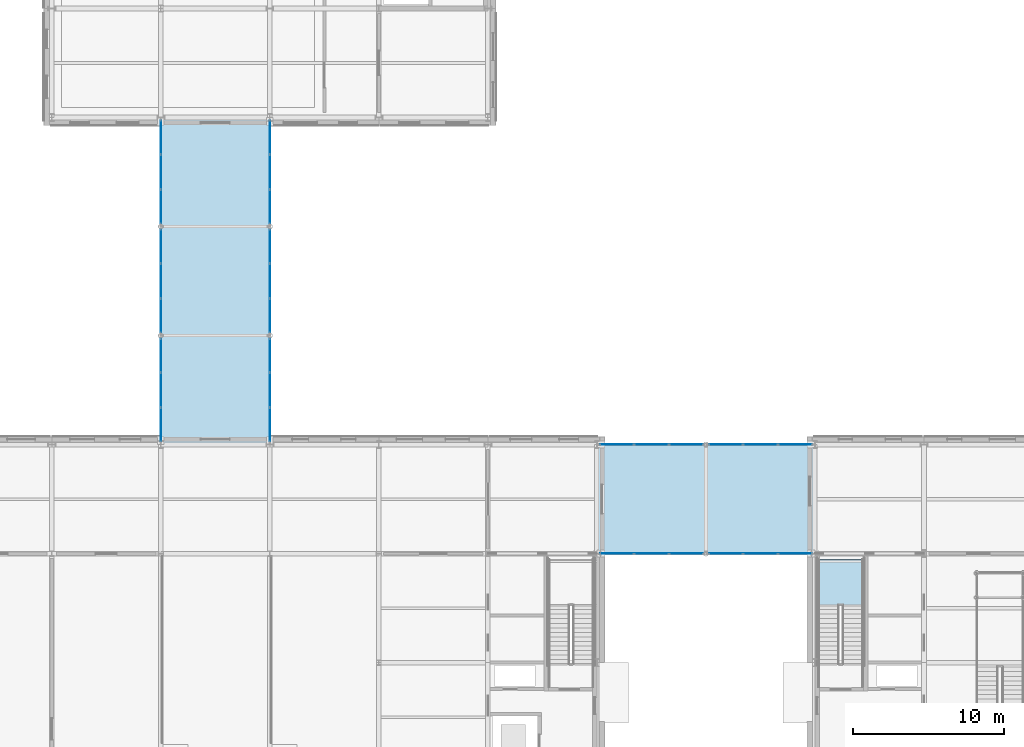
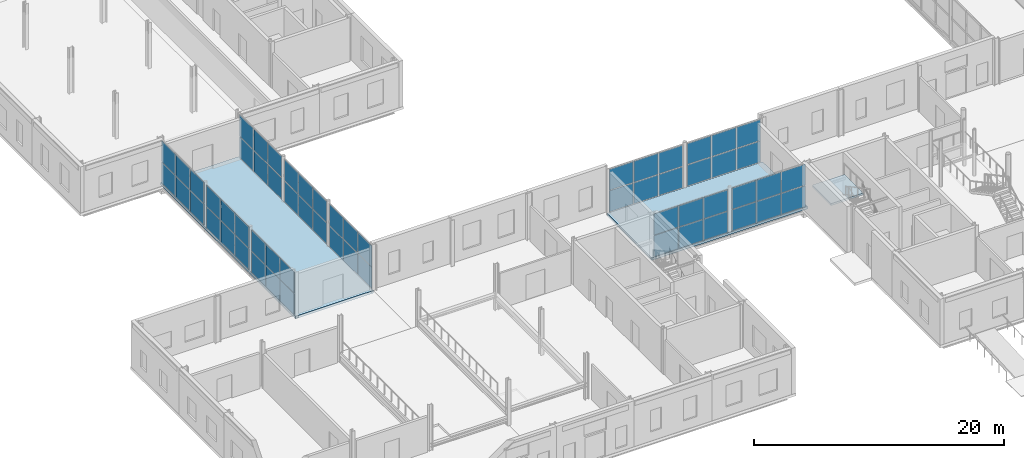
# One storey, part 43 of 92: 60 plates, 3 slabs, 11 elements without a shape of their own.
"""IFC4 building model written with IfcOpenShell, lengths in metres."""

from ifc_helpers import new_model, si_unit, direction, frame, origin, origin_2d, place, context, subcontext, project, spatial, polyline, rectangle, outline, extrude, material, layer, layer_set, type_object, element, aggregate, save


model = new_model("IFC4")

# Units and contexts
model_context = context("Model", 3, precision=1e-05, world=origin(), true_north=direction((0.0, 1.0)))
body_context = subcontext(model_context, "Body", "Model", "MODEL_VIEW")
ifc_project = project(units=[si_unit("LENGTHUNIT", "METRE"), si_unit("AREAUNIT", "SQUARE_METRE"), si_unit("VOLUMEUNIT", "CUBIC_METRE"), si_unit("PLANEANGLEUNIT", "RADIAN"), si_unit("MASSUNIT", "GRAM", prefix="KILO")], contexts=[model_context])

# Site, building, storey
site_placement = place(None, origin())
site = spatial("IfcSite", under=ifc_project, at=site_placement, CompositionType="ELEMENT")
building_placement = place(site_placement, origin())
building = spatial("IfcBuilding", under=site, at=building_placement, Name="Zlatovets Crest Museum", CompositionType="ELEMENT")
storey_placement = place(building_placement, origin())
storey = spatial("IfcBuildingStorey", under=building, at=storey_placement, Name="L00", CompositionType="ELEMENT", Elevation=0.0)

# Curtain wall, plates
ifc_material_1 = material(Name="Bronze-anodised aluminium and low-E triple glass", Category="aluminium")
curtain_wall_type_1 = type_object("IfcCurtainWallType", Name="CW_CW-BR1-L00-S69", PredefinedType="NOTDEFINED", material=ifc_material_1)
curtain_wall_1_placement = place(storey_placement, origin())
curtain_wall_1 = element("IfcCurtainWall", 1, at=curtain_wall_1_placement, inside=storey, type_object=curtain_wall_type_1, Name="South Forecourt Glazed Link Bridge L00 Glazed Bridge Curtain Wall", PredefinedType="NOTDEFINED")
ifc_material_2 = material(Name="Solar-control low-E laminated triple glass", Category="glass")
ifc_layer_1 = layer(ifc_material_2, 0.030029296875)
ifc_layer_set_1 = layer_set([ifc_layer_1], Name="Solar-control low-E laminated triple glass")
plate_type_1 = type_object("IfcPlateType", Name="CWPanel_CW-BR1-L00-S69", PredefinedType="CURTAIN_PANEL", material=ifc_layer_set_1)
plate_1_placement = place(storey_placement, frame((44.514892578125, 21.60009765625, 0.06005859375), z_axis=(0.0, 0.0, 1.0), x_axis=(1.0, 0.0, 0.0)))
plate_1 = element("IfcPlate", 2, at=plate_1_placement, type_object=plate_type_1, Name="CW-BR1-L00-S69 panel 1.1", PredefinedType="CURTAIN_PANEL", context=body_context, shape_type="SweptSolid", body=[
    extrude(rectangle(XDim=2.2099609375, YDim=0.030029296875, at=origin_2d()), origin(), (0.0, 0.0, 1.0), 2.050048828125),
])
plate_2_placement = place(storey_placement, frame((44.514892578125, 21.60009765625, 2.169921875), z_axis=(0.0, 0.0, 1.0), x_axis=(1.0, 0.0, 0.0)))
plate_2 = element("IfcPlate", 3, at=plate_2_placement, type_object=plate_type_1, Name="CW-BR1-L00-S69 panel 1.2", PredefinedType="CURTAIN_PANEL", context=body_context, shape_type="SweptSolid", body=[
    extrude(rectangle(XDim=2.2099609375, YDim=0.030029296875, at=origin_2d()), origin(), (0.0, 0.0, 1.0), 2.050048828125),
])
plate_3_placement = place(storey_placement, frame((46.800048828125, 21.60009765625, 0.06005859375), z_axis=(0.0, 0.0, 1.0), x_axis=(1.0, 0.0, 0.0)))
plate_3 = element("IfcPlate", 4, at=plate_3_placement, type_object=plate_type_1, Name="CW-BR1-L00-S69 panel 2.1", PredefinedType="CURTAIN_PANEL", context=body_context, shape_type="SweptSolid", body=[
    extrude(rectangle(XDim=2.239990234375, YDim=0.030029296875, at=origin_2d()), origin(), (0.0, 0.0, 1.0), 2.050048828125),
])
plate_4_placement = place(storey_placement, frame((46.800048828125, 21.60009765625, 2.169921875), z_axis=(0.0, 0.0, 1.0), x_axis=(1.0, 0.0, 0.0)))
plate_4 = element("IfcPlate", 5, at=plate_4_placement, type_object=plate_type_1, Name="CW-BR1-L00-S69 panel 2.2", PredefinedType="CURTAIN_PANEL", context=body_context, shape_type="SweptSolid", body=[
    extrude(rectangle(XDim=2.239990234375, YDim=0.030029296875, at=origin_2d()), origin(), (0.0, 0.0, 1.0), 2.050048828125),
])
plate_5_placement = place(storey_placement, frame((49.0849609375, 21.60009765625, 0.06005859375), z_axis=(0.0, 0.0, 1.0), x_axis=(1.0, 0.0, 0.0)))
plate_5 = element("IfcPlate", 6, at=plate_5_placement, type_object=plate_type_1, Name="CW-BR1-L00-S69 panel 3.1", PredefinedType="CURTAIN_PANEL", context=body_context, shape_type="SweptSolid", body=[
    extrude(rectangle(XDim=2.2099609375, YDim=0.030029296875, at=origin_2d()), origin(), (0.0, 0.0, 1.0), 2.050048828125),
])
plate_6_placement = place(storey_placement, frame((49.0849609375, 21.60009765625, 2.169921875), z_axis=(0.0, 0.0, 1.0), x_axis=(1.0, 0.0, 0.0)))
plate_6 = element("IfcPlate", 7, at=plate_6_placement, type_object=plate_type_1, Name="CW-BR1-L00-S69 panel 3.2", PredefinedType="CURTAIN_PANEL", context=body_context, shape_type="SweptSolid", body=[
    extrude(rectangle(XDim=2.2099609375, YDim=0.030029296875, at=origin_2d()), origin(), (0.0, 0.0, 1.0), 2.050048828125),
])
aggregate(curtain_wall_1, [plate_1, plate_2, plate_3, plate_4, plate_5, plate_6])

curtain_wall_2_placement = place(storey_placement, origin())
curtain_wall_2 = element("IfcCurtainWall", 8, at=curtain_wall_2_placement, inside=storey, type_object=curtain_wall_type_1, Name="South Forecourt Glazed Link Bridge L00 Glazed Bridge Curtain Wall", PredefinedType="NOTDEFINED")
plate_7_placement = place(storey_placement, frame((51.715087890625, 21.60009765625, 0.06005859375), z_axis=(0.0, 0.0, 1.0), x_axis=(1.0, 0.0, 0.0)))
plate_7 = element("IfcPlate", 9, at=plate_7_placement, type_object=plate_type_1, Name="CW-BR1-L00-S69 panel 1.1", PredefinedType="CURTAIN_PANEL", context=body_context, shape_type="SweptSolid", body=[
    extrude(rectangle(XDim=2.2099609375, YDim=0.030029296875, at=origin_2d()), origin(), (0.0, 0.0, 1.0), 2.050048828125),
])
plate_8_placement = place(storey_placement, frame((51.715087890625, 21.60009765625, 2.169921875), z_axis=(0.0, 0.0, 1.0), x_axis=(1.0, 0.0, 0.0)))
plate_8 = element("IfcPlate", 10, at=plate_8_placement, type_object=plate_type_1, Name="CW-BR1-L00-S69 panel 1.2", PredefinedType="CURTAIN_PANEL", context=body_context, shape_type="SweptSolid", body=[
    extrude(rectangle(XDim=2.2099609375, YDim=0.030029296875, at=origin_2d()), origin(), (0.0, 0.0, 1.0), 2.050048828125),
])
plate_9_placement = place(storey_placement, frame((54.0, 21.60009765625, 0.06005859375), z_axis=(0.0, 0.0, 1.0), x_axis=(1.0, 0.0, 0.0)))
plate_9 = element("IfcPlate", 11, at=plate_9_placement, type_object=plate_type_1, Name="CW-BR1-L00-S69 panel 2.1", PredefinedType="CURTAIN_PANEL", context=body_context, shape_type="SweptSolid", body=[
    extrude(rectangle(XDim=2.239990234375, YDim=0.030029296875, at=origin_2d()), origin(), (0.0, 0.0, 1.0), 2.050048828125),
])
plate_10_placement = place(storey_placement, frame((54.0, 21.60009765625, 2.169921875), z_axis=(0.0, 0.0, 1.0), x_axis=(1.0, 0.0, 0.0)))
plate_10 = element("IfcPlate", 12, at=plate_10_placement, type_object=plate_type_1, Name="CW-BR1-L00-S69 panel 2.2", PredefinedType="CURTAIN_PANEL", context=body_context, shape_type="SweptSolid", body=[
    extrude(rectangle(XDim=2.239990234375, YDim=0.030029296875, at=origin_2d()), origin(), (0.0, 0.0, 1.0), 2.050048828125),
])
plate_11_placement = place(storey_placement, frame((56.284912109375, 21.60009765625, 0.06005859375), z_axis=(0.0, 0.0, 1.0), x_axis=(1.0, 0.0, 0.0)))
plate_11 = element("IfcPlate", 13, at=plate_11_placement, type_object=plate_type_1, Name="CW-BR1-L00-S69 panel 3.1", PredefinedType="CURTAIN_PANEL", context=body_context, shape_type="SweptSolid", body=[
    extrude(rectangle(XDim=2.2099609375, YDim=0.030029296875, at=origin_2d()), origin(), (0.0, 0.0, 1.0), 2.050048828125),
])
plate_12_placement = place(storey_placement, frame((56.284912109375, 21.60009765625, 2.169921875), z_axis=(0.0, 0.0, 1.0), x_axis=(1.0, 0.0, 0.0)))
plate_12 = element("IfcPlate", 14, at=plate_12_placement, type_object=plate_type_1, Name="CW-BR1-L00-S69 panel 3.2", PredefinedType="CURTAIN_PANEL", context=body_context, shape_type="SweptSolid", body=[
    extrude(rectangle(XDim=2.2099609375, YDim=0.030029296875, at=origin_2d()), origin(), (0.0, 0.0, 1.0), 2.050048828125),
])
aggregate(curtain_wall_2, [plate_7, plate_8, plate_9, plate_10, plate_11, plate_12])

curtain_wall_3_placement = place(storey_placement, origin())
curtain_wall_3 = element("IfcCurtainWall", 15, at=curtain_wall_3_placement, inside=storey, type_object=curtain_wall_type_1, Name="South Forecourt Glazed Link Bridge L00 Glazed Bridge Curtain Wall", PredefinedType="NOTDEFINED")
plate_13_placement = place(storey_placement, frame((44.514892578125, 28.800048828125, 0.06005859375), z_axis=(0.0, 0.0, 1.0), x_axis=(1.0, 0.0, 0.0)))
plate_13 = element("IfcPlate", 16, at=plate_13_placement, type_object=plate_type_1, Name="CW-BR1-L00-S69 panel 1.1", PredefinedType="CURTAIN_PANEL", context=body_context, shape_type="SweptSolid", body=[
    extrude(rectangle(XDim=2.2099609375, YDim=0.030029296875, at=origin_2d()), origin(), (0.0, 0.0, 1.0), 2.050048828125),
])
plate_14_placement = place(storey_placement, frame((44.514892578125, 28.800048828125, 2.169921875), z_axis=(0.0, 0.0, 1.0), x_axis=(1.0, 0.0, 0.0)))
plate_14 = element("IfcPlate", 17, at=plate_14_placement, type_object=plate_type_1, Name="CW-BR1-L00-S69 panel 1.2", PredefinedType="CURTAIN_PANEL", context=body_context, shape_type="SweptSolid", body=[
    extrude(rectangle(XDim=2.2099609375, YDim=0.030029296875, at=origin_2d()), origin(), (0.0, 0.0, 1.0), 2.050048828125),
])
plate_15_placement = place(storey_placement, frame((46.800048828125, 28.800048828125, 0.06005859375), z_axis=(0.0, 0.0, 1.0), x_axis=(1.0, 0.0, 0.0)))
plate_15 = element("IfcPlate", 18, at=plate_15_placement, type_object=plate_type_1, Name="CW-BR1-L00-S69 panel 2.1", PredefinedType="CURTAIN_PANEL", context=body_context, shape_type="SweptSolid", body=[
    extrude(rectangle(XDim=2.239990234375, YDim=0.030029296875, at=origin_2d()), origin(), (0.0, 0.0, 1.0), 2.050048828125),
])
plate_16_placement = place(storey_placement, frame((46.800048828125, 28.800048828125, 2.169921875), z_axis=(0.0, 0.0, 1.0), x_axis=(1.0, 0.0, 0.0)))
plate_16 = element("IfcPlate", 19, at=plate_16_placement, type_object=plate_type_1, Name="CW-BR1-L00-S69 panel 2.2", PredefinedType="CURTAIN_PANEL", context=body_context, shape_type="SweptSolid", body=[
    extrude(rectangle(XDim=2.239990234375, YDim=0.030029296875, at=origin_2d()), origin(), (0.0, 0.0, 1.0), 2.050048828125),
])
plate_17_placement = place(storey_placement, frame((49.0849609375, 28.800048828125, 0.06005859375), z_axis=(0.0, 0.0, 1.0), x_axis=(1.0, 0.0, 0.0)))
plate_17 = element("IfcPlate", 20, at=plate_17_placement, type_object=plate_type_1, Name="CW-BR1-L00-S69 panel 3.1", PredefinedType="CURTAIN_PANEL", context=body_context, shape_type="SweptSolid", body=[
    extrude(rectangle(XDim=2.2099609375, YDim=0.030029296875, at=origin_2d()), origin(), (0.0, 0.0, 1.0), 2.050048828125),
])
plate_18_placement = place(storey_placement, frame((49.0849609375, 28.800048828125, 2.169921875), z_axis=(0.0, 0.0, 1.0), x_axis=(1.0, 0.0, 0.0)))
plate_18 = element("IfcPlate", 21, at=plate_18_placement, type_object=plate_type_1, Name="CW-BR1-L00-S69 panel 3.2", PredefinedType="CURTAIN_PANEL", context=body_context, shape_type="SweptSolid", body=[
    extrude(rectangle(XDim=2.2099609375, YDim=0.030029296875, at=origin_2d()), origin(), (0.0, 0.0, 1.0), 2.050048828125),
])
aggregate(curtain_wall_3, [plate_13, plate_14, plate_15, plate_16, plate_17, plate_18])

curtain_wall_4_placement = place(storey_placement, origin())
curtain_wall_4 = element("IfcCurtainWall", 22, at=curtain_wall_4_placement, inside=storey, type_object=curtain_wall_type_1, Name="South Forecourt Glazed Link Bridge L00 Glazed Bridge Curtain Wall", PredefinedType="NOTDEFINED")
plate_19_placement = place(storey_placement, frame((51.715087890625, 28.800048828125, 0.06005859375), z_axis=(0.0, 0.0, 1.0), x_axis=(1.0, 0.0, 0.0)))
plate_19 = element("IfcPlate", 23, at=plate_19_placement, type_object=plate_type_1, Name="CW-BR1-L00-S69 panel 1.1", PredefinedType="CURTAIN_PANEL", context=body_context, shape_type="SweptSolid", body=[
    extrude(rectangle(XDim=2.2099609375, YDim=0.030029296875, at=origin_2d()), origin(), (0.0, 0.0, 1.0), 2.050048828125),
])
plate_20_placement = place(storey_placement, frame((51.715087890625, 28.800048828125, 2.169921875), z_axis=(0.0, 0.0, 1.0), x_axis=(1.0, 0.0, 0.0)))
plate_20 = element("IfcPlate", 24, at=plate_20_placement, type_object=plate_type_1, Name="CW-BR1-L00-S69 panel 1.2", PredefinedType="CURTAIN_PANEL", context=body_context, shape_type="SweptSolid", body=[
    extrude(rectangle(XDim=2.2099609375, YDim=0.030029296875, at=origin_2d()), origin(), (0.0, 0.0, 1.0), 2.050048828125),
])
plate_21_placement = place(storey_placement, frame((54.0, 28.800048828125, 0.06005859375), z_axis=(0.0, 0.0, 1.0), x_axis=(1.0, 0.0, 0.0)))
plate_21 = element("IfcPlate", 25, at=plate_21_placement, type_object=plate_type_1, Name="CW-BR1-L00-S69 panel 2.1", PredefinedType="CURTAIN_PANEL", context=body_context, shape_type="SweptSolid", body=[
    extrude(rectangle(XDim=2.239990234375, YDim=0.030029296875, at=origin_2d()), origin(), (0.0, 0.0, 1.0), 2.050048828125),
])
plate_22_placement = place(storey_placement, frame((54.0, 28.800048828125, 2.169921875), z_axis=(0.0, 0.0, 1.0), x_axis=(1.0, 0.0, 0.0)))
plate_22 = element("IfcPlate", 26, at=plate_22_placement, type_object=plate_type_1, Name="CW-BR1-L00-S69 panel 2.2", PredefinedType="CURTAIN_PANEL", context=body_context, shape_type="SweptSolid", body=[
    extrude(rectangle(XDim=2.239990234375, YDim=0.030029296875, at=origin_2d()), origin(), (0.0, 0.0, 1.0), 2.050048828125),
])
plate_23_placement = place(storey_placement, frame((56.284912109375, 28.800048828125, 0.06005859375), z_axis=(0.0, 0.0, 1.0), x_axis=(1.0, 0.0, 0.0)))
plate_23 = element("IfcPlate", 27, at=plate_23_placement, type_object=plate_type_1, Name="CW-BR1-L00-S69 panel 3.1", PredefinedType="CURTAIN_PANEL", context=body_context, shape_type="SweptSolid", body=[
    extrude(rectangle(XDim=2.2099609375, YDim=0.030029296875, at=origin_2d()), origin(), (0.0, 0.0, 1.0), 2.050048828125),
])
plate_24_placement = place(storey_placement, frame((56.284912109375, 28.800048828125, 2.169921875), z_axis=(0.0, 0.0, 1.0), x_axis=(1.0, 0.0, 0.0)))
plate_24 = element("IfcPlate", 28, at=plate_24_placement, type_object=plate_type_1, Name="CW-BR1-L00-S69 panel 3.2", PredefinedType="CURTAIN_PANEL", context=body_context, shape_type="SweptSolid", body=[
    extrude(rectangle(XDim=2.2099609375, YDim=0.030029296875, at=origin_2d()), origin(), (0.0, 0.0, 1.0), 2.050048828125),
])
aggregate(curtain_wall_4, [plate_19, plate_20, plate_21, plate_22, plate_23, plate_24])

curtain_wall_type_2 = type_object("IfcCurtainWallType", Name="CW_CW-BR2-L00-S69", PredefinedType="NOTDEFINED", material=ifc_material_1)
curtain_wall_5_placement = place(storey_placement, origin())
curtain_wall_5 = element("IfcCurtainWall", 29, at=curtain_wall_5_placement, inside=storey, type_object=curtain_wall_type_2, Name="West Hillside Glazed Link Bridge L00 Glazed Bridge Curtain Wall", PredefinedType="NOTDEFINED")
ifc_layer_2 = layer(ifc_material_2, 0.030029296875)
ifc_layer_set_2 = layer_set([ifc_layer_2], Name="Solar-control low-E laminated triple glass")
plate_type_2 = type_object("IfcPlateType", Name="CWPanel_CW-BR2-L00-S69", PredefinedType="CURTAIN_PANEL", material=ifc_layer_set_2)
plate_25_placement = place(storey_placement, frame((14.39990234375, 30.114990234375, 0.06005859375), z_axis=(0.0, 0.0, 1.0), x_axis=(0.0, 1.0, 0.0)))
plate_25 = element("IfcPlate", 30, at=plate_25_placement, type_object=plate_type_2, Name="CW-BR2-L00-S69 panel 1.1", PredefinedType="CURTAIN_PANEL", context=body_context, shape_type="SweptSolid", body=[
    extrude(rectangle(XDim=2.2099609375, YDim=0.030029296875, at=origin_2d()), origin(), (0.0, 0.0, 1.0), 2.050048828125),
])
plate_26_placement = place(storey_placement, frame((14.39990234375, 30.114990234375, 2.169921875), z_axis=(0.0, 0.0, 1.0), x_axis=(0.0, 1.0, 0.0)))
plate_26 = element("IfcPlate", 31, at=plate_26_placement, type_object=plate_type_2, Name="CW-BR2-L00-S69 panel 1.2", PredefinedType="CURTAIN_PANEL", context=body_context, shape_type="SweptSolid", body=[
    extrude(rectangle(XDim=2.2099609375, YDim=0.030029296875, at=origin_2d()), origin(), (0.0, 0.0, 1.0), 2.050048828125),
])
plate_27_placement = place(storey_placement, frame((14.39990234375, 32.39990234375, 0.06005859375), z_axis=(0.0, 0.0, 1.0), x_axis=(0.0, 1.0, 0.0)))
plate_27 = element("IfcPlate", 32, at=plate_27_placement, type_object=plate_type_2, Name="CW-BR2-L00-S69 panel 2.1", PredefinedType="CURTAIN_PANEL", context=body_context, shape_type="SweptSolid", body=[
    extrude(rectangle(XDim=2.239990234375, YDim=0.030029296875, at=origin_2d()), origin(), (0.0, 0.0, 1.0), 2.050048828125),
])
plate_28_placement = place(storey_placement, frame((14.39990234375, 32.39990234375, 2.169921875), z_axis=(0.0, 0.0, 1.0), x_axis=(0.0, 1.0, 0.0)))
plate_28 = element("IfcPlate", 33, at=plate_28_placement, type_object=plate_type_2, Name="CW-BR2-L00-S69 panel 2.2", PredefinedType="CURTAIN_PANEL", context=body_context, shape_type="SweptSolid", body=[
    extrude(rectangle(XDim=2.239990234375, YDim=0.030029296875, at=origin_2d()), origin(), (0.0, 0.0, 1.0), 2.050048828125),
])
plate_29_placement = place(storey_placement, frame((14.39990234375, 34.68505859375, 0.06005859375), z_axis=(0.0, 0.0, 1.0), x_axis=(0.0, 1.0, 0.0)))
plate_29 = element("IfcPlate", 34, at=plate_29_placement, type_object=plate_type_2, Name="CW-BR2-L00-S69 panel 3.1", PredefinedType="CURTAIN_PANEL", context=body_context, shape_type="SweptSolid", body=[
    extrude(rectangle(XDim=2.2099609375, YDim=0.030029296875, at=origin_2d()), origin(), (0.0, 0.0, 1.0), 2.050048828125),
])
plate_30_placement = place(storey_placement, frame((14.39990234375, 34.68505859375, 2.169921875), z_axis=(0.0, 0.0, 1.0), x_axis=(0.0, 1.0, 0.0)))
plate_30 = element("IfcPlate", 35, at=plate_30_placement, type_object=plate_type_2, Name="CW-BR2-L00-S69 panel 3.2", PredefinedType="CURTAIN_PANEL", context=body_context, shape_type="SweptSolid", body=[
    extrude(rectangle(XDim=2.2099609375, YDim=0.030029296875, at=origin_2d()), origin(), (0.0, 0.0, 1.0), 2.050048828125),
])
aggregate(curtain_wall_5, [plate_25, plate_26, plate_27, plate_28, plate_29, plate_30])

curtain_wall_6_placement = place(storey_placement, origin())
curtain_wall_6 = element("IfcCurtainWall", 36, at=curtain_wall_6_placement, inside=storey, type_object=curtain_wall_type_2, Name="West Hillside Glazed Link Bridge L00 Glazed Bridge Curtain Wall", PredefinedType="NOTDEFINED")
plate_31_placement = place(storey_placement, frame((14.39990234375, 37.31494140625, 0.06005859375), z_axis=(0.0, 0.0, 1.0), x_axis=(0.0, 1.0, 0.0)))
plate_31 = element("IfcPlate", 37, at=plate_31_placement, type_object=plate_type_2, Name="CW-BR2-L00-S69 panel 1.1", PredefinedType="CURTAIN_PANEL", context=body_context, shape_type="SweptSolid", body=[
    extrude(rectangle(XDim=2.2099609375, YDim=0.030029296875, at=origin_2d()), origin(), (0.0, 0.0, 1.0), 2.050048828125),
])
plate_32_placement = place(storey_placement, frame((14.39990234375, 37.31494140625, 2.169921875), z_axis=(0.0, 0.0, 1.0), x_axis=(0.0, 1.0, 0.0)))
plate_32 = element("IfcPlate", 38, at=plate_32_placement, type_object=plate_type_2, Name="CW-BR2-L00-S69 panel 1.2", PredefinedType="CURTAIN_PANEL", context=body_context, shape_type="SweptSolid", body=[
    extrude(rectangle(XDim=2.2099609375, YDim=0.030029296875, at=origin_2d()), origin(), (0.0, 0.0, 1.0), 2.050048828125),
])
plate_33_placement = place(storey_placement, frame((14.39990234375, 39.60009765625, 0.06005859375), z_axis=(0.0, 0.0, 1.0), x_axis=(0.0, 1.0, 0.0)))
plate_33 = element("IfcPlate", 39, at=plate_33_placement, type_object=plate_type_2, Name="CW-BR2-L00-S69 panel 2.1", PredefinedType="CURTAIN_PANEL", context=body_context, shape_type="SweptSolid", body=[
    extrude(rectangle(XDim=2.239990234375, YDim=0.030029296875, at=origin_2d()), origin(), (0.0, 0.0, 1.0), 2.050048828125),
])
plate_34_placement = place(storey_placement, frame((14.39990234375, 39.60009765625, 2.169921875), z_axis=(0.0, 0.0, 1.0), x_axis=(0.0, 1.0, 0.0)))
plate_34 = element("IfcPlate", 40, at=plate_34_placement, type_object=plate_type_2, Name="CW-BR2-L00-S69 panel 2.2", PredefinedType="CURTAIN_PANEL", context=body_context, shape_type="SweptSolid", body=[
    extrude(rectangle(XDim=2.239990234375, YDim=0.030029296875, at=origin_2d()), origin(), (0.0, 0.0, 1.0), 2.050048828125),
])
plate_35_placement = place(storey_placement, frame((14.39990234375, 41.885009765625, 0.06005859375), z_axis=(0.0, 0.0, 1.0), x_axis=(0.0, 1.0, 0.0)))
plate_35 = element("IfcPlate", 41, at=plate_35_placement, type_object=plate_type_2, Name="CW-BR2-L00-S69 panel 3.1", PredefinedType="CURTAIN_PANEL", context=body_context, shape_type="SweptSolid", body=[
    extrude(rectangle(XDim=2.2099609375, YDim=0.030029296875, at=origin_2d()), origin(), (0.0, 0.0, 1.0), 2.050048828125),
])
plate_36_placement = place(storey_placement, frame((14.39990234375, 41.885009765625, 2.169921875), z_axis=(0.0, 0.0, 1.0), x_axis=(0.0, 1.0, 0.0)))
plate_36 = element("IfcPlate", 42, at=plate_36_placement, type_object=plate_type_2, Name="CW-BR2-L00-S69 panel 3.2", PredefinedType="CURTAIN_PANEL", context=body_context, shape_type="SweptSolid", body=[
    extrude(rectangle(XDim=2.2099609375, YDim=0.030029296875, at=origin_2d()), origin(), (0.0, 0.0, 1.0), 2.050048828125),
])
aggregate(curtain_wall_6, [plate_31, plate_32, plate_33, plate_34, plate_35, plate_36])

curtain_wall_7_placement = place(storey_placement, origin())
curtain_wall_7 = element("IfcCurtainWall", 43, at=curtain_wall_7_placement, inside=storey, type_object=curtain_wall_type_2, Name="West Hillside Glazed Link Bridge L00 Glazed Bridge Curtain Wall", PredefinedType="NOTDEFINED")
plate_37_placement = place(storey_placement, frame((14.39990234375, 44.514892578125, 0.06005859375), z_axis=(0.0, 0.0, 1.0), x_axis=(0.0, 1.0, 0.0)))
plate_37 = element("IfcPlate", 44, at=plate_37_placement, type_object=plate_type_2, Name="CW-BR2-L00-S69 panel 1.1", PredefinedType="CURTAIN_PANEL", context=body_context, shape_type="SweptSolid", body=[
    extrude(rectangle(XDim=2.2099609375, YDim=0.030029296875, at=origin_2d()), origin(), (0.0, 0.0, 1.0), 2.050048828125),
])
plate_38_placement = place(storey_placement, frame((14.39990234375, 44.514892578125, 2.169921875), z_axis=(0.0, 0.0, 1.0), x_axis=(0.0, 1.0, 0.0)))
plate_38 = element("IfcPlate", 45, at=plate_38_placement, type_object=plate_type_2, Name="CW-BR2-L00-S69 panel 1.2", PredefinedType="CURTAIN_PANEL", context=body_context, shape_type="SweptSolid", body=[
    extrude(rectangle(XDim=2.2099609375, YDim=0.030029296875, at=origin_2d()), origin(), (0.0, 0.0, 1.0), 2.050048828125),
])
plate_39_placement = place(storey_placement, frame((14.39990234375, 46.800048828125, 0.06005859375), z_axis=(0.0, 0.0, 1.0), x_axis=(0.0, 1.0, 0.0)))
plate_39 = element("IfcPlate", 46, at=plate_39_placement, type_object=plate_type_2, Name="CW-BR2-L00-S69 panel 2.1", PredefinedType="CURTAIN_PANEL", context=body_context, shape_type="SweptSolid", body=[
    extrude(rectangle(XDim=2.239990234375, YDim=0.030029296875, at=origin_2d()), origin(), (0.0, 0.0, 1.0), 2.050048828125),
])
plate_40_placement = place(storey_placement, frame((14.39990234375, 46.800048828125, 2.169921875), z_axis=(0.0, 0.0, 1.0), x_axis=(0.0, 1.0, 0.0)))
plate_40 = element("IfcPlate", 47, at=plate_40_placement, type_object=plate_type_2, Name="CW-BR2-L00-S69 panel 2.2", PredefinedType="CURTAIN_PANEL", context=body_context, shape_type="SweptSolid", body=[
    extrude(rectangle(XDim=2.239990234375, YDim=0.030029296875, at=origin_2d()), origin(), (0.0, 0.0, 1.0), 2.050048828125),
])
plate_41_placement = place(storey_placement, frame((14.39990234375, 49.0849609375, 0.06005859375), z_axis=(0.0, 0.0, 1.0), x_axis=(0.0, 1.0, 0.0)))
plate_41 = element("IfcPlate", 48, at=plate_41_placement, type_object=plate_type_2, Name="CW-BR2-L00-S69 panel 3.1", PredefinedType="CURTAIN_PANEL", context=body_context, shape_type="SweptSolid", body=[
    extrude(rectangle(XDim=2.2099609375, YDim=0.030029296875, at=origin_2d()), origin(), (0.0, 0.0, 1.0), 2.050048828125),
])
plate_42_placement = place(storey_placement, frame((14.39990234375, 49.0849609375, 2.169921875), z_axis=(0.0, 0.0, 1.0), x_axis=(0.0, 1.0, 0.0)))
plate_42 = element("IfcPlate", 49, at=plate_42_placement, type_object=plate_type_2, Name="CW-BR2-L00-S69 panel 3.2", PredefinedType="CURTAIN_PANEL", context=body_context, shape_type="SweptSolid", body=[
    extrude(rectangle(XDim=2.2099609375, YDim=0.030029296875, at=origin_2d()), origin(), (0.0, 0.0, 1.0), 2.050048828125),
])
aggregate(curtain_wall_7, [plate_37, plate_38, plate_39, plate_40, plate_41, plate_42])

curtain_wall_8_placement = place(storey_placement, origin())
curtain_wall_8 = element("IfcCurtainWall", 50, at=curtain_wall_8_placement, inside=storey, type_object=curtain_wall_type_2, Name="West Hillside Glazed Link Bridge L00 Glazed Bridge Curtain Wall", PredefinedType="NOTDEFINED")
plate_43_placement = place(storey_placement, frame((21.60009765625, 30.114990234375, 0.06005859375), z_axis=(0.0, 0.0, 1.0), x_axis=(0.0, 1.0, 0.0)))
plate_43 = element("IfcPlate", 51, at=plate_43_placement, type_object=plate_type_2, Name="CW-BR2-L00-S69 panel 1.1", PredefinedType="CURTAIN_PANEL", context=body_context, shape_type="SweptSolid", body=[
    extrude(rectangle(XDim=2.2099609375, YDim=0.030029296875, at=origin_2d()), origin(), (0.0, 0.0, 1.0), 2.050048828125),
])
plate_44_placement = place(storey_placement, frame((21.60009765625, 30.114990234375, 2.169921875), z_axis=(0.0, 0.0, 1.0), x_axis=(0.0, 1.0, 0.0)))
plate_44 = element("IfcPlate", 52, at=plate_44_placement, type_object=plate_type_2, Name="CW-BR2-L00-S69 panel 1.2", PredefinedType="CURTAIN_PANEL", context=body_context, shape_type="SweptSolid", body=[
    extrude(rectangle(XDim=2.2099609375, YDim=0.030029296875, at=origin_2d()), origin(), (0.0, 0.0, 1.0), 2.050048828125),
])
plate_45_placement = place(storey_placement, frame((21.60009765625, 32.39990234375, 0.06005859375), z_axis=(0.0, 0.0, 1.0), x_axis=(0.0, 1.0, 0.0)))
plate_45 = element("IfcPlate", 53, at=plate_45_placement, type_object=plate_type_2, Name="CW-BR2-L00-S69 panel 2.1", PredefinedType="CURTAIN_PANEL", context=body_context, shape_type="SweptSolid", body=[
    extrude(rectangle(XDim=2.239990234375, YDim=0.030029296875, at=origin_2d()), origin(), (0.0, 0.0, 1.0), 2.050048828125),
])
plate_46_placement = place(storey_placement, frame((21.60009765625, 32.39990234375, 2.169921875), z_axis=(0.0, 0.0, 1.0), x_axis=(0.0, 1.0, 0.0)))
plate_46 = element("IfcPlate", 54, at=plate_46_placement, type_object=plate_type_2, Name="CW-BR2-L00-S69 panel 2.2", PredefinedType="CURTAIN_PANEL", context=body_context, shape_type="SweptSolid", body=[
    extrude(rectangle(XDim=2.239990234375, YDim=0.030029296875, at=origin_2d()), origin(), (0.0, 0.0, 1.0), 2.050048828125),
])
plate_47_placement = place(storey_placement, frame((21.60009765625, 34.68505859375, 0.06005859375), z_axis=(0.0, 0.0, 1.0), x_axis=(0.0, 1.0, 0.0)))
plate_47 = element("IfcPlate", 55, at=plate_47_placement, type_object=plate_type_2, Name="CW-BR2-L00-S69 panel 3.1", PredefinedType="CURTAIN_PANEL", context=body_context, shape_type="SweptSolid", body=[
    extrude(rectangle(XDim=2.2099609375, YDim=0.030029296875, at=origin_2d()), origin(), (0.0, 0.0, 1.0), 2.050048828125),
])
plate_48_placement = place(storey_placement, frame((21.60009765625, 34.68505859375, 2.169921875), z_axis=(0.0, 0.0, 1.0), x_axis=(0.0, 1.0, 0.0)))
plate_48 = element("IfcPlate", 56, at=plate_48_placement, type_object=plate_type_2, Name="CW-BR2-L00-S69 panel 3.2", PredefinedType="CURTAIN_PANEL", context=body_context, shape_type="SweptSolid", body=[
    extrude(rectangle(XDim=2.2099609375, YDim=0.030029296875, at=origin_2d()), origin(), (0.0, 0.0, 1.0), 2.050048828125),
])
aggregate(curtain_wall_8, [plate_43, plate_44, plate_45, plate_46, plate_47, plate_48])

curtain_wall_9_placement = place(storey_placement, origin())
curtain_wall_9 = element("IfcCurtainWall", 57, at=curtain_wall_9_placement, inside=storey, type_object=curtain_wall_type_2, Name="West Hillside Glazed Link Bridge L00 Glazed Bridge Curtain Wall", PredefinedType="NOTDEFINED")
plate_49_placement = place(storey_placement, frame((21.60009765625, 37.31494140625, 0.06005859375), z_axis=(0.0, 0.0, 1.0), x_axis=(0.0, 1.0, 0.0)))
plate_49 = element("IfcPlate", 58, at=plate_49_placement, type_object=plate_type_2, Name="CW-BR2-L00-S69 panel 1.1", PredefinedType="CURTAIN_PANEL", context=body_context, shape_type="SweptSolid", body=[
    extrude(rectangle(XDim=2.2099609375, YDim=0.030029296875, at=origin_2d()), origin(), (0.0, 0.0, 1.0), 2.050048828125),
])
plate_50_placement = place(storey_placement, frame((21.60009765625, 37.31494140625, 2.169921875), z_axis=(0.0, 0.0, 1.0), x_axis=(0.0, 1.0, 0.0)))
plate_50 = element("IfcPlate", 59, at=plate_50_placement, type_object=plate_type_2, Name="CW-BR2-L00-S69 panel 1.2", PredefinedType="CURTAIN_PANEL", context=body_context, shape_type="SweptSolid", body=[
    extrude(rectangle(XDim=2.2099609375, YDim=0.030029296875, at=origin_2d()), origin(), (0.0, 0.0, 1.0), 2.050048828125),
])
plate_51_placement = place(storey_placement, frame((21.60009765625, 39.60009765625, 0.06005859375), z_axis=(0.0, 0.0, 1.0), x_axis=(0.0, 1.0, 0.0)))
plate_51 = element("IfcPlate", 60, at=plate_51_placement, type_object=plate_type_2, Name="CW-BR2-L00-S69 panel 2.1", PredefinedType="CURTAIN_PANEL", context=body_context, shape_type="SweptSolid", body=[
    extrude(rectangle(XDim=2.239990234375, YDim=0.030029296875, at=origin_2d()), origin(), (0.0, 0.0, 1.0), 2.050048828125),
])
plate_52_placement = place(storey_placement, frame((21.60009765625, 39.60009765625, 2.169921875), z_axis=(0.0, 0.0, 1.0), x_axis=(0.0, 1.0, 0.0)))
plate_52 = element("IfcPlate", 61, at=plate_52_placement, type_object=plate_type_2, Name="CW-BR2-L00-S69 panel 2.2", PredefinedType="CURTAIN_PANEL", context=body_context, shape_type="SweptSolid", body=[
    extrude(rectangle(XDim=2.239990234375, YDim=0.030029296875, at=origin_2d()), origin(), (0.0, 0.0, 1.0), 2.050048828125),
])
plate_53_placement = place(storey_placement, frame((21.60009765625, 41.885009765625, 0.06005859375), z_axis=(0.0, 0.0, 1.0), x_axis=(0.0, 1.0, 0.0)))
plate_53 = element("IfcPlate", 62, at=plate_53_placement, type_object=plate_type_2, Name="CW-BR2-L00-S69 panel 3.1", PredefinedType="CURTAIN_PANEL", context=body_context, shape_type="SweptSolid", body=[
    extrude(rectangle(XDim=2.2099609375, YDim=0.030029296875, at=origin_2d()), origin(), (0.0, 0.0, 1.0), 2.050048828125),
])
plate_54_placement = place(storey_placement, frame((21.60009765625, 41.885009765625, 2.169921875), z_axis=(0.0, 0.0, 1.0), x_axis=(0.0, 1.0, 0.0)))
plate_54 = element("IfcPlate", 63, at=plate_54_placement, type_object=plate_type_2, Name="CW-BR2-L00-S69 panel 3.2", PredefinedType="CURTAIN_PANEL", context=body_context, shape_type="SweptSolid", body=[
    extrude(rectangle(XDim=2.2099609375, YDim=0.030029296875, at=origin_2d()), origin(), (0.0, 0.0, 1.0), 2.050048828125),
])
aggregate(curtain_wall_9, [plate_49, plate_50, plate_51, plate_52, plate_53, plate_54])

curtain_wall_10_placement = place(storey_placement, origin())
curtain_wall_10 = element("IfcCurtainWall", 64, at=curtain_wall_10_placement, inside=storey, type_object=curtain_wall_type_2, Name="West Hillside Glazed Link Bridge L00 Glazed Bridge Curtain Wall", PredefinedType="NOTDEFINED")
plate_55_placement = place(storey_placement, frame((21.60009765625, 44.514892578125, 0.06005859375), z_axis=(0.0, 0.0, 1.0), x_axis=(0.0, 1.0, 0.0)))
plate_55 = element("IfcPlate", 65, at=plate_55_placement, type_object=plate_type_2, Name="CW-BR2-L00-S69 panel 1.1", PredefinedType="CURTAIN_PANEL", context=body_context, shape_type="SweptSolid", body=[
    extrude(rectangle(XDim=2.2099609375, YDim=0.030029296875, at=origin_2d()), origin(), (0.0, 0.0, 1.0), 2.050048828125),
])
plate_56_placement = place(storey_placement, frame((21.60009765625, 44.514892578125, 2.169921875), z_axis=(0.0, 0.0, 1.0), x_axis=(0.0, 1.0, 0.0)))
plate_56 = element("IfcPlate", 66, at=plate_56_placement, type_object=plate_type_2, Name="CW-BR2-L00-S69 panel 1.2", PredefinedType="CURTAIN_PANEL", context=body_context, shape_type="SweptSolid", body=[
    extrude(rectangle(XDim=2.2099609375, YDim=0.030029296875, at=origin_2d()), origin(), (0.0, 0.0, 1.0), 2.050048828125),
])
plate_57_placement = place(storey_placement, frame((21.60009765625, 46.800048828125, 0.06005859375), z_axis=(0.0, 0.0, 1.0), x_axis=(0.0, 1.0, 0.0)))
plate_57 = element("IfcPlate", 67, at=plate_57_placement, type_object=plate_type_2, Name="CW-BR2-L00-S69 panel 2.1", PredefinedType="CURTAIN_PANEL", context=body_context, shape_type="SweptSolid", body=[
    extrude(rectangle(XDim=2.239990234375, YDim=0.030029296875, at=origin_2d()), origin(), (0.0, 0.0, 1.0), 2.050048828125),
])
plate_58_placement = place(storey_placement, frame((21.60009765625, 46.800048828125, 2.169921875), z_axis=(0.0, 0.0, 1.0), x_axis=(0.0, 1.0, 0.0)))
plate_58 = element("IfcPlate", 68, at=plate_58_placement, type_object=plate_type_2, Name="CW-BR2-L00-S69 panel 2.2", PredefinedType="CURTAIN_PANEL", context=body_context, shape_type="SweptSolid", body=[
    extrude(rectangle(XDim=2.239990234375, YDim=0.030029296875, at=origin_2d()), origin(), (0.0, 0.0, 1.0), 2.050048828125),
])
plate_59_placement = place(storey_placement, frame((21.60009765625, 49.0849609375, 0.06005859375), z_axis=(0.0, 0.0, 1.0), x_axis=(0.0, 1.0, 0.0)))
plate_59 = element("IfcPlate", 69, at=plate_59_placement, type_object=plate_type_2, Name="CW-BR2-L00-S69 panel 3.1", PredefinedType="CURTAIN_PANEL", context=body_context, shape_type="SweptSolid", body=[
    extrude(rectangle(XDim=2.2099609375, YDim=0.030029296875, at=origin_2d()), origin(), (0.0, 0.0, 1.0), 2.050048828125),
])
plate_60_placement = place(storey_placement, frame((21.60009765625, 49.0849609375, 2.169921875), z_axis=(0.0, 0.0, 1.0), x_axis=(0.0, 1.0, 0.0)))
plate_60 = element("IfcPlate", 70, at=plate_60_placement, type_object=plate_type_2, Name="CW-BR2-L00-S69 panel 3.2", PredefinedType="CURTAIN_PANEL", context=body_context, shape_type="SweptSolid", body=[
    extrude(rectangle(XDim=2.2099609375, YDim=0.030029296875, at=origin_2d()), origin(), (0.0, 0.0, 1.0), 2.050048828125),
])
aggregate(curtain_wall_10, [plate_55, plate_56, plate_57, plate_58, plate_59, plate_60])

# Slabs
ifc_material_3 = material(Name="Concrete C30/37", Category="concrete")
ifc_layer_3 = layer(ifc_material_3, 0.25)
ifc_layer_set_3 = layer_set([ifc_layer_3], Name="Concrete C30/37")
slab_type_1 = type_object("IfcSlabType", Name="Slab_FS-01", PredefinedType="FLOOR", material=ifc_layer_set_3)
slab_1_placement = place(storey_placement, frame((0.0, 0.0, -0.25)))
element("IfcSlab", 71, at=slab_1_placement, inside=storey, type_object=slab_type_1, Name="South Forecourt Glazed Link Bridge L00 Deck Slab", PredefinedType="FLOOR", context=body_context, shape_type="SweptSolid", body=[
    extrude(outline(polyline([(57.60009765625, 21.60009765625), (57.60009765625, 28.800048828125), (43.199951171875, 28.800048828125), (43.199951171875, 21.60009765625), (57.60009765625, 21.60009765625)])), origin(), (0.0, 0.0, 1.0), 0.25),
])
slab_2_placement = place(storey_placement, frame((0.0, 0.0, -0.25)))
element("IfcSlab", 72, at=slab_2_placement, inside=storey, type_object=slab_type_1, Name="West Hillside Glazed Link Bridge L00 Deck Slab", PredefinedType="FLOOR", context=body_context, shape_type="SweptSolid", body=[
    extrude(outline(polyline([(21.60009765625, 28.800048828125), (21.60009765625, 50.39990234375), (14.39990234375, 50.39990234375), (14.39990234375, 28.800048828125), (21.60009765625, 28.800048828125)])), origin(), (0.0, 0.0, 1.0), 0.25),
])

# Stair, slab
ifc_material_4 = material(Name="Concrete C35/45", Category="concrete")
stair_type = type_object("IfcStairType", Name="Stair_ST2-28R", PredefinedType="HALF_TURN_STAIR", material=ifc_material_4)
stair_placement = place(storey_placement, origin())
stair = element("IfcStair", 73, at=stair_placement, inside=storey, type_object=stair_type, Name="L00 Core C2 Escape Stair ST2", PredefinedType="HALF_TURN_STAIR")
ifc_layer_4 = layer(ifc_material_4, 0.199951171875)
ifc_layer_set_4 = layer_set([ifc_layer_4], Name="Concrete C35/45")
slab_type_2 = type_object("IfcSlabType", Name="StairLanding_SLD1", PredefinedType="LANDING", material=ifc_layer_set_4)
slab_3_placement = place(storey_placement, frame((0.0, 0.0, 2.050048828125)))
slab_3 = element("IfcSlab", 74, at=slab_3_placement, type_object=slab_type_2, Name="ST2 landing 1", PredefinedType="LANDING", context=body_context, shape_type="SweptSolid", body=[
    extrude(outline(polyline([(60.800048828125, 18.199951171875), (60.800048828125, 21.199951171875), (57.800048828125, 21.199951171875), (57.800048828125, 18.199951171875), (60.800048828125, 18.199951171875)])), origin(), (0.0, 0.0, 1.0), 0.199951171875),
])
aggregate(stair, [slab_3])

save(model, "model.ifc")
